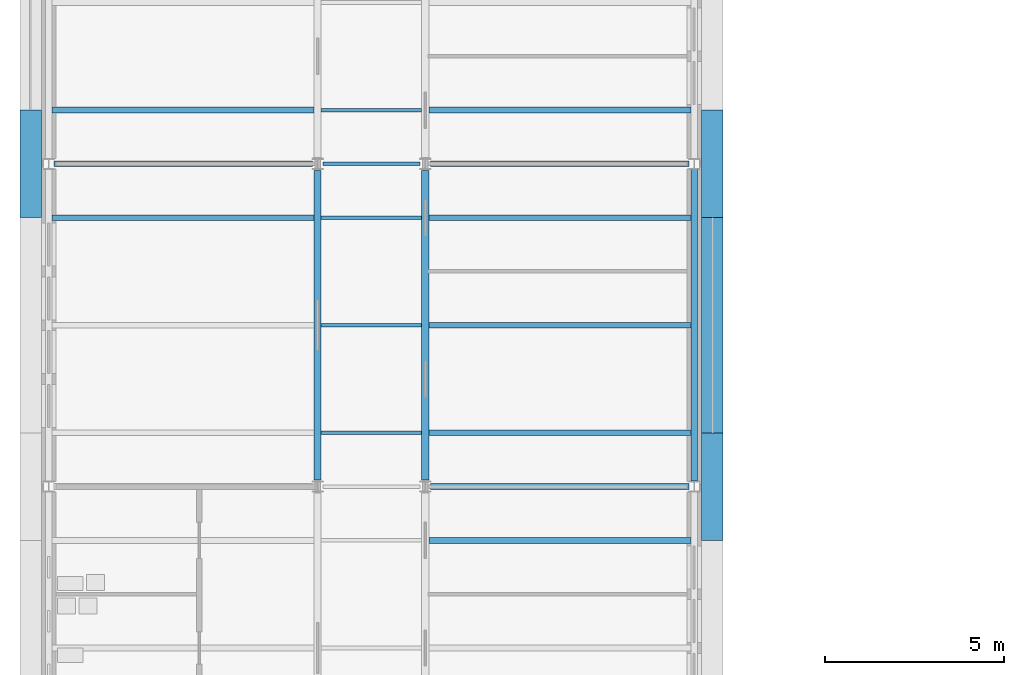
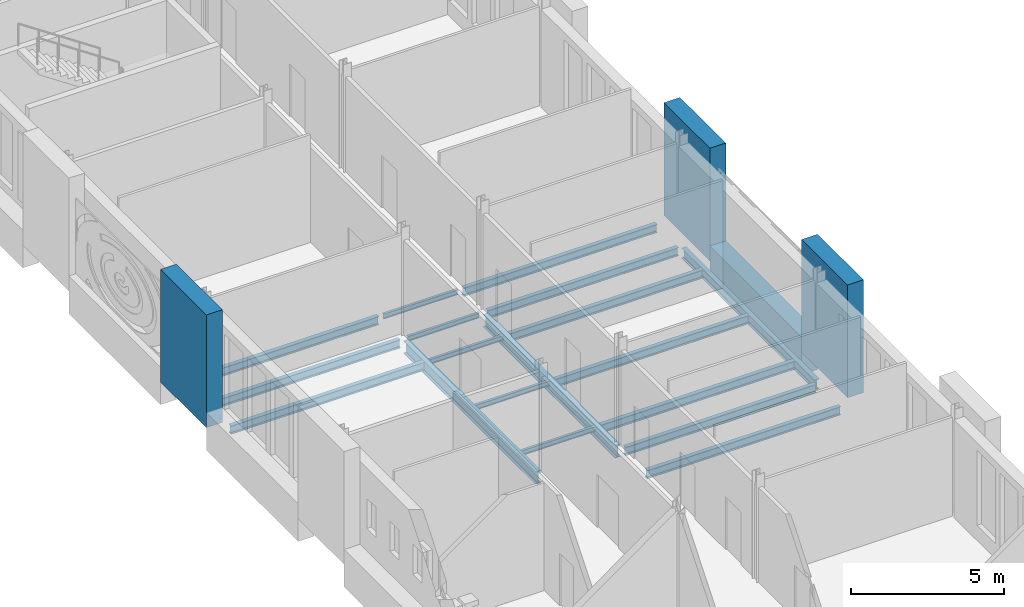
# One storey, part 25 of 131: 19 beams, 3 members.
"""IFC4 building model written with IfcOpenShell, lengths in metres."""

from ifc_helpers import new_model, si_unit, direction, frame, origin, origin_2d, place, context, subcontext, project, spatial, rectangle, i_section, extrude, material, material_profile, profile_set, type_object, element, save


model = new_model("IFC4")

# Units and contexts
model_context = context("Model", 3, precision=1e-05, world=origin(), true_north=direction((0.0, 1.0)))
body_context = subcontext(model_context, "Body", "Model", "MODEL_VIEW")
ifc_project = project(units=[si_unit("LENGTHUNIT", "METRE"), si_unit("AREAUNIT", "SQUARE_METRE"), si_unit("VOLUMEUNIT", "CUBIC_METRE"), si_unit("PLANEANGLEUNIT", "RADIAN"), si_unit("MASSUNIT", "GRAM", prefix="KILO")], contexts=[model_context])

# Site, building, storey
site_placement = place(None, origin())
site = spatial("IfcSite", under=ifc_project, at=site_placement, CompositionType="ELEMENT")
building_placement = place(site_placement, origin())
building = spatial("IfcBuilding", under=site, at=building_placement, Name="Golden Quay Civic Hall", CompositionType="ELEMENT")
storey_placement = place(building_placement, frame((0.0, 0.0, 9.89990234375)))
storey = spatial("IfcBuildingStorey", under=building, at=storey_placement, Name="L02", CompositionType="ELEMENT", Elevation=9.89990234375)

# Members
ifc_material_1 = material(Name="Concrete C40/50", Category="concrete")
ifc_material_profile_1 = material_profile(ifc_material_1, rectangle(XDim=3.0, YDim=0.60009765625, at=origin_2d()), Name="RC 3000x600")
ifc_profile_set_1 = profile_set([ifc_material_profile_1], Name="Concrete C40/50")
member_type = type_object("IfcMemberType", Name="Precast concrete facade pier 3000 x 600", PredefinedType="POST", material=ifc_profile_set_1)
for number, where, z_axis, x_axis, name in (
    (1, (-0.5, 18.0, 0.0), (0.0, 0.0, 1.0), (0.0, 1.0, 0.0), "Precast concrete facade pier 3000 x 600 L02 2"),
    (2, (18.5, 9.0, 0.0), (0.0, 0.0, 1.0), (0.0, 1.0, 0.0), "Precast concrete facade pier 3000 x 600 L02 12"),
    (3, (18.5, 18.0, 0.0), (0.0, 0.0, 1.0), (0.0, 1.0, 0.0), "Precast concrete facade pier 3000 x 600 L02 13"),
):
    element("IfcMember", number, at=place(storey_placement, frame(where, z_axis=z_axis, x_axis=x_axis)), inside=storey, type_object=member_type, Name=name, PredefinedType="POST", context=body_context, shape_type="SweptSolid", body=[
        extrude(rectangle(XDim=3.0, YDim=0.60009765625, at=origin_2d()), origin(), (0.0, 0.0, 1.0), 4.5),
    ])

# Beams
ifc_material_2 = material(Name="Concrete C40/50", Category="concrete")
ifc_material_profile_2 = material_profile(ifc_material_2, rectangle(XDim=0.60009765625, YDim=1.5, at=origin_2d()), Name="RC 600x1500")
ifc_profile_set_2 = profile_set([ifc_material_profile_2], Name="Concrete C40/50")
beam_type_1 = type_object("IfcBeamType", Name="Precast concrete spandrel beam 600 x 1500", PredefinedType="SPANDREL", material=ifc_profile_set_2)
beam_1_placement = place(storey_placement, frame((18.5, 10.5, -0.14990234375), z_axis=(0.0, 1.0, 0.0), x_axis=(-1.0, 0.0, 0.0)))
element("IfcBeam", 4, at=beam_1_placement, inside=storey, type_object=beam_type_1, Name="Precast concrete spandrel beam 600 x 1500 L02 18", PredefinedType="SPANDREL", context=body_context, shape_type="SweptSolid", body=[
    extrude(rectangle(XDim=0.60009765625, YDim=1.5, at=origin_2d()), origin(), (0.0, 0.0, 1.0), 6.0),
])
ifc_material_3 = material(Name="Steel S355", Category="steel")
ifc_material_profile_3 = material_profile(ifc_material_3, i_section(OverallWidth=0.10009765625, OverallDepth=0.199951171875, WebThickness=0.005615234375, FlangeThickness=0.008544921875, FilletRadius=0.011962890625, at=origin_2d()), Name="IPE 200")
ifc_profile_set_3 = profile_set([ifc_material_profile_3], Name="Steel S355")
beam_type_2 = type_object("IfcBeamType", Name="Steel beam IPE 200", PredefinedType="BEAM", material=ifc_profile_set_3)
beam_2_placement = place(storey_placement, frame((7.64990234375, 18.0, -0.2998046875), z_axis=(1.0, 0.0, 0.0), x_axis=(0.0, 1.0, 0.0)))
element("IfcBeam", 5, at=beam_2_placement, inside=storey, type_object=beam_type_2, Name="Beam S18-7.5", PredefinedType="BEAM", context=body_context, shape_type="SweptSolid", body=[
    extrude(i_section(OverallWidth=0.10009765625, OverallDepth=0.199951171875, WebThickness=0.005615234375, FlangeThickness=0.008544921875, FilletRadius=0.011962890625, at=origin_2d()), origin(), (0.0, 0.0, 1.0), 2.7001953125),
])
ifc_material_4 = material(Name="Steel S355", Category="steel")
ifc_material_profile_4 = material_profile(ifc_material_4, i_section(OverallWidth=0.159912109375, OverallDepth=0.330078125, WebThickness=0.007568359375, FlangeThickness=0.011474609375, FilletRadius=0.01806640625, at=origin_2d()), Name="IPE 330")
ifc_profile_set_4 = profile_set([ifc_material_profile_4], Name="Steel S355")
beam_type_3 = type_object("IfcBeamType", Name="Steel beam IPE 330", PredefinedType="BEAM", material=ifc_profile_set_4)
for number, where, z_axis, x_axis, name in (
    (6, (10.64990234375, 9.0, -0.364990234375), (1.0, 0.0, 0.0), (0.0, 1.0, 0.0), "Beam S9-10.5"),
    (7, (0.14990234375, 18.0, -0.364990234375), (1.0, 0.0, 0.0), (0.0, 1.0, 0.0), "Beam S18-0"),
    (8, (10.64990234375, 18.0, -0.364990234375), (1.0, 0.0, 0.0), (0.0, 1.0, 0.0), "Beam S18-10.5"),
):
    element("IfcBeam", number, at=place(storey_placement, frame(where, z_axis=z_axis, x_axis=x_axis)), inside=storey, type_object=beam_type_3, Name=name, PredefinedType="BEAM", context=body_context, shape_type="SweptSolid", body=[
        extrude(i_section(OverallWidth=0.159912109375, OverallDepth=0.330078125, WebThickness=0.007568359375, FlangeThickness=0.011474609375, FilletRadius=0.01806640625, at=origin_2d()), origin(), (0.0, 0.0, 1.0), 7.2001953125),
    ])
ifc_material_5 = material(Name="Steel S355", Category="steel")
ifc_material_profile_5 = material_profile(ifc_material_5, i_section(OverallWidth=0.179931640625, OverallDepth=0.39990234375, WebThickness=0.008544921875, FlangeThickness=0.013427734375, FilletRadius=0.02099609375, at=origin_2d()), Name="IPE 400")
ifc_profile_set_5 = profile_set([ifc_material_profile_5], Name="Steel S355")
beam_type_4 = type_object("IfcBeamType", Name="Steel beam IPE 400", PredefinedType="BEAM", material=ifc_profile_set_5)
beam_3_placement = place(storey_placement, frame((18.0, 9.14990234375, -0.39990234375), z_axis=(0.0, 1.0, 0.0), x_axis=(-1.0, 0.0, 0.0)))
element("IfcBeam", 9, at=beam_3_placement, inside=storey, type_object=beam_type_4, Name="Beam L18-9", PredefinedType="BEAM", context=body_context, shape_type="SweptSolid", body=[
    extrude(i_section(OverallWidth=0.179931640625, OverallDepth=0.39990234375, WebThickness=0.008544921875, FlangeThickness=0.013427734375, FilletRadius=0.02099609375, at=origin_2d()), origin(), (0.0, 0.0, 1.0), 8.7001953125),
])
ifc_material_6 = material(Name="Steel S355", Category="steel")
ifc_material_profile_6 = material_profile(ifc_material_6, i_section(OverallWidth=0.199951171875, OverallDepth=0.5, WebThickness=0.01025390625, FlangeThickness=0.01611328125, FilletRadius=0.02099609375, at=origin_2d()), Name="IPE 500")
ifc_profile_set_6 = profile_set([ifc_material_profile_6], Name="Steel S355")
beam_type_5 = type_object("IfcBeamType", Name="Steel beam IPE 500", PredefinedType="BEAM", material=ifc_profile_set_6)
for number, where, z_axis, x_axis, name in (
    (10, (7.5, 9.179931640625, -0.449951171875), (0.0, 1.0, 0.0), (-1.0, 0.0, 0.0), "Beam L7.5-9"),
    (11, (10.5, 9.179931640625, -0.449951171875), (0.0, 1.0, 0.0), (-1.0, 0.0, 0.0), "Beam L10.5-9"),
):
    element("IfcBeam", number, at=place(storey_placement, frame(where, z_axis=z_axis, x_axis=x_axis)), inside=storey, type_object=beam_type_5, Name=name, PredefinedType="BEAM", context=body_context, shape_type="SweptSolid", body=[
        extrude(i_section(OverallWidth=0.199951171875, OverallDepth=0.5, WebThickness=0.01025390625, FlangeThickness=0.01611328125, FilletRadius=0.02099609375, at=origin_2d()), origin(), (0.0, 0.0, 1.0), 8.64013671875),
    ])
ifc_material_7 = material(Name="Steel S355", Category="steel")
ifc_material_profile_7 = material_profile(ifc_material_7, i_section(OverallWidth=0.10009765625, OverallDepth=0.199951171875, WebThickness=0.005615234375, FlangeThickness=0.008544921875, FilletRadius=0.011962890625, at=origin_2d()), Name="IPE 200")
ifc_profile_set_7 = profile_set([ifc_material_profile_7], Name="Steel S355")
beam_type_6 = type_object("IfcBeamType", Name="Steel joist IPE 200", PredefinedType="JOIST", material=ifc_profile_set_7)
for number, where, z_axis, x_axis, name in (
    (12, (7.60009765625, 10.5, -0.2998046875), (1.0, 0.0, 0.0), (0.0, 1.0, 0.0), "Joist J10.5-7.5"),
    (13, (7.60009765625, 13.5, -0.2998046875), (1.0, 0.0, 0.0), (0.0, 1.0, 0.0), "Joist J13.5-7.5"),
    (14, (7.60009765625, 16.5, -0.2998046875), (1.0, 0.0, 0.0), (0.0, 1.0, 0.0), "Joist J16.5-7.5"),
    (15, (7.60009765625, 19.5, -0.2998046875), (1.0, 0.0, 0.0), (0.0, 1.0, 0.0), "Joist J19.5-7.5"),
):
    element("IfcBeam", number, at=place(storey_placement, frame(where, z_axis=z_axis, x_axis=x_axis)), inside=storey, type_object=beam_type_6, Name=name, PredefinedType="JOIST", context=body_context, shape_type="SweptSolid", body=[
        extrude(i_section(OverallWidth=0.10009765625, OverallDepth=0.199951171875, WebThickness=0.005615234375, FlangeThickness=0.008544921875, FilletRadius=0.011962890625, at=origin_2d()), origin(), (0.0, 0.0, 1.0), 2.7998046875),
    ])
ifc_material_8 = material(Name="Steel S355", Category="steel")
ifc_material_profile_8 = material_profile(ifc_material_8, i_section(OverallWidth=0.159912109375, OverallDepth=0.330078125, WebThickness=0.007568359375, FlangeThickness=0.011474609375, FilletRadius=0.01806640625, at=origin_2d()), Name="IPE 330")
ifc_profile_set_8 = profile_set([ifc_material_profile_8], Name="Steel S355")
beam_type_7 = type_object("IfcBeamType", Name="Steel joist IPE 330", PredefinedType="JOIST", material=ifc_profile_set_8)
for number, where, z_axis, x_axis, name in (
    (16, (10.60009765625, 7.5, -0.364990234375), (1.0, 0.0, 0.0), (0.0, 1.0, 0.0), "Joist J7.5-10.5"),
    (17, (10.60009765625, 10.5, -0.364990234375), (1.0, 0.0, 0.0), (0.0, 1.0, 0.0), "Joist J10.5-10.5"),
    (18, (10.60009765625, 13.5, -0.364990234375), (1.0, 0.0, 0.0), (0.0, 1.0, 0.0), "Joist J13.5-10.5"),
    (19, (0.090087890625, 16.5, -0.364990234375), (1.0, 0.0, 0.0), (0.0, 1.0, 0.0), "Joist J16.5-0"),
    (20, (10.60009765625, 16.5, -0.364990234375), (1.0, 0.0, 0.0), (0.0, 1.0, 0.0), "Joist J16.5-10.5"),
    (21, (0.090087890625, 19.5, -0.364990234375), (1.0, 0.0, 0.0), (0.0, 1.0, 0.0), "Joist J19.5-0"),
    (22, (10.60009765625, 19.5, -0.364990234375), (1.0, 0.0, 0.0), (0.0, 1.0, 0.0), "Joist J19.5-10.5"),
):
    element("IfcBeam", number, at=place(storey_placement, frame(where, z_axis=z_axis, x_axis=x_axis)), inside=storey, type_object=beam_type_7, Name=name, PredefinedType="JOIST", context=body_context, shape_type="SweptSolid", body=[
        extrude(i_section(OverallWidth=0.159912109375, OverallDepth=0.330078125, WebThickness=0.007568359375, FlangeThickness=0.011474609375, FilletRadius=0.01806640625, at=origin_2d()), origin(), (0.0, 0.0, 1.0), 7.309814453125),
    ])

save(model, "model.ifc")
